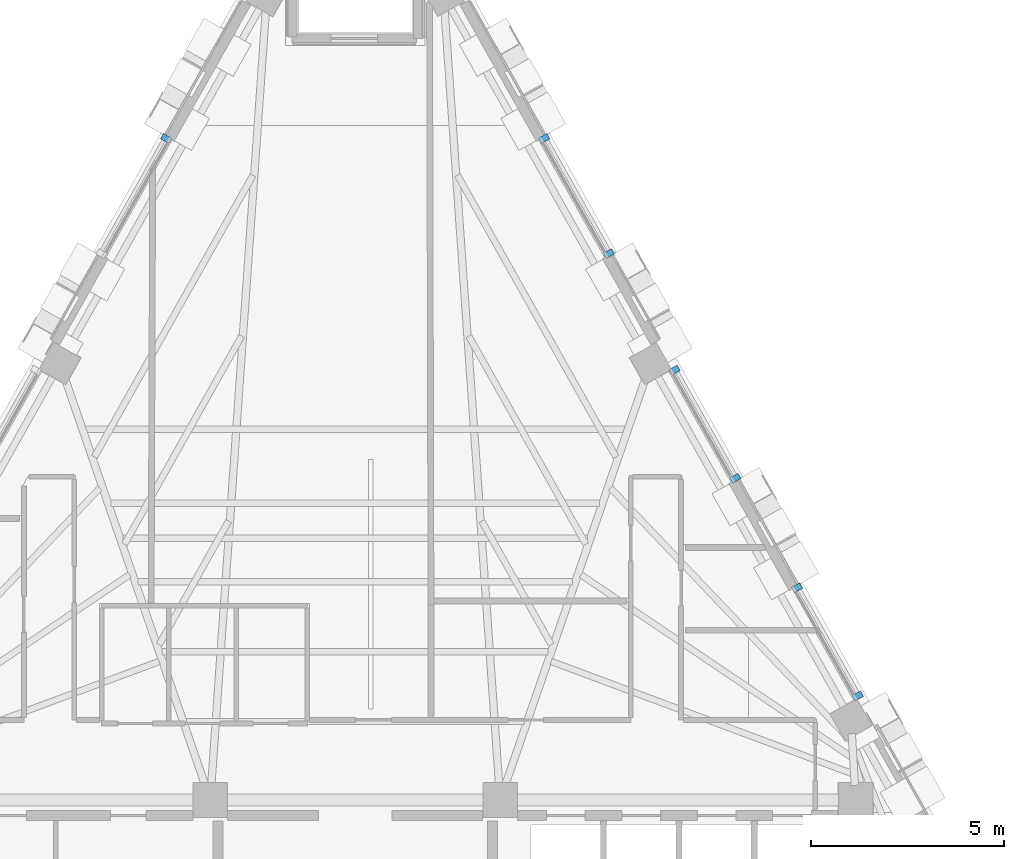
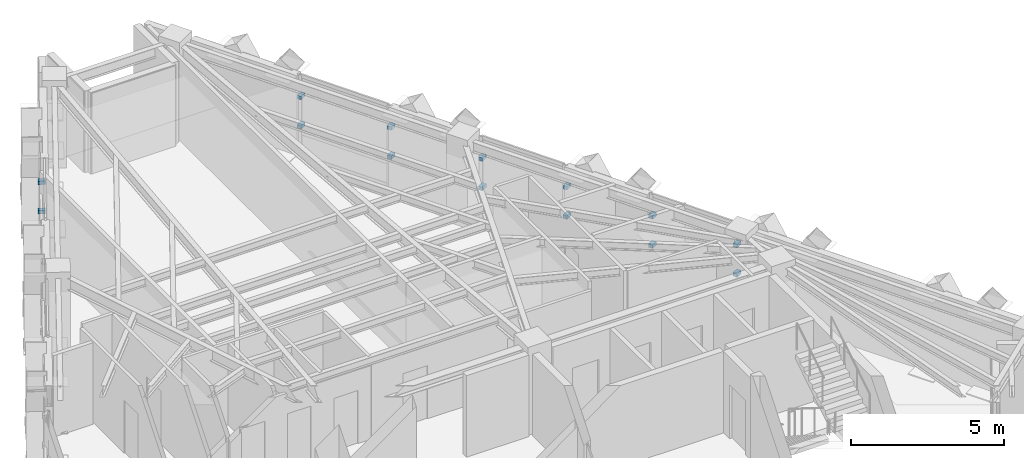
# One storey, part 9 of 11: 14 discrete accessories.
"""IFC4 building model written with IfcOpenShell, lengths in metres."""

from ifc_helpers import new_model, si_unit, direction, frame, origin, origin_2d, place, context, subcontext, project, spatial, rectangle, extrude, material, type_object, element, save


model = new_model("IFC4")

# Units and contexts
model_context = context("Model", 3, precision=1e-05, world=origin(), true_north=direction((0.0, 1.0)))
body_context = subcontext(model_context, "Body", "Model", "MODEL_VIEW")
ifc_project = project(units=[si_unit("LENGTHUNIT", "METRE"), si_unit("AREAUNIT", "SQUARE_METRE"), si_unit("VOLUMEUNIT", "CUBIC_METRE"), si_unit("PLANEANGLEUNIT", "RADIAN"), si_unit("MASSUNIT", "GRAM", prefix="KILO")], contexts=[model_context])

# Site, building, storey
site_placement = place(None, origin())
site = spatial("IfcSite", under=ifc_project, at=site_placement, CompositionType="ELEMENT")
building_placement = place(site_placement, origin())
building = spatial("IfcBuilding", under=site, at=building_placement, Name="Quenlor Broadcast Tower", CompositionType="ELEMENT")
storey_placement = place(building_placement, frame((0.0, 0.0, 263.89990234375)))
storey = spatial("IfcBuildingStorey", under=building, at=storey_placement, Name="L73", CompositionType="ELEMENT", Elevation=263.89990234375)

# Discrete accessories
ifc_material = material(Name="Aluminium 6063-T6", Category="aluminium")
discrete_accessory_type = type_object("IfcDiscreteAccessoryType", Name="Stainless Mullion Baguette Support Bracket", PredefinedType="BRACKET", material=ifc_material)
for number, where, z_axis, x_axis, name in (
    (1, (4.891845703125, 12.315673828125, 1.10009765625), (0.0, 0.0, 1.0), (0.490249776801, -0.871581984868, 0.0), "L73 Baguette Mullion Bracket 1.1"),
    (2, (6.56787109375, 9.33642578125, 1.10009765625), (0.0, 0.0, 1.0), (0.490249776801, -0.871581984868, 0.0), "L73 Baguette Mullion Bracket 1.2"),
    (3, (4.891845703125, 12.315673828125, 2.27001953125), (0.0, 0.0, 1.0), (0.490249776801, -0.871581984868, 0.0), "L73 Baguette Mullion Bracket 2.1"),
    (4, (6.56787109375, 9.33642578125, 2.27001953125), (0.0, 0.0, 1.0), (0.490249776801, -0.871581984868, 0.0), "L73 Baguette Mullion Bracket 2.2"),
    (5, (8.26416015625, 6.3203125, 1.10009765625), (0.0, 0.0, 1.0), (0.490261946333, -0.871575139605, 0.0), "L73 Baguette Mullion Bracket 1.1"),
    (6, (9.83740234375, 3.523681640625, 1.10009765625), (0.0, 0.0, 1.0), (0.490261946333, -0.871575139605, 0.0), "L73 Baguette Mullion Bracket 1.2"),
    (7, (8.26416015625, 6.3203125, 2.27001953125), (0.0, 0.0, 1.0), (0.490261946333, -0.871575139605, 0.0), "L73 Baguette Mullion Bracket 2.1"),
    (8, (9.83740234375, 3.523681640625, 2.27001953125), (0.0, 0.0, 1.0), (0.490261946333, -0.871575139605, 0.0), "L73 Baguette Mullion Bracket 2.2"),
    (9, (11.431396484375, 0.690185546875, 1.10009765625), (0.0, 0.0, 1.0), (0.490261946333, -0.871575139605, 0.0), "L73 Baguette Mullion Bracket 1.1"),
    (10, (13.004638671875, -2.106689453125, 1.10009765625), (0.0, 0.0, 1.0), (0.490261946333, -0.871575139605, 0.0), "L73 Baguette Mullion Bracket 1.2"),
    (11, (11.431396484375, 0.690185546875, 2.27001953125), (0.0, 0.0, 1.0), (0.490261946333, -0.871575139605, 0.0), "L73 Baguette Mullion Bracket 2.1"),
    (12, (13.004638671875, -2.106689453125, 2.27001953125), (0.0, 0.0, 1.0), (0.490261946333, -0.871575139605, 0.0), "L73 Baguette Mullion Bracket 2.2"),
    (13, (-4.891845703125, 12.315673828125, 1.10009765625), (0.0, 0.0, 1.0), (0.490249776801, 0.871581984868, 0.0), "L73 Baguette Mullion Bracket 1.2"),
    (14, (-4.891845703125, 12.315673828125, 2.27001953125), (0.0, 0.0, 1.0), (0.490249776801, 0.871581984868, 0.0), "L73 Baguette Mullion Bracket 2.2"),
):
    element("IfcDiscreteAccessory", number, at=place(storey_placement, frame(where, z_axis=z_axis, x_axis=x_axis)), inside=storey, type_object=discrete_accessory_type, Name=name, PredefinedType="BRACKET", context=body_context, shape_type="SweptSolid", body=[
        extrude(rectangle(XDim=0.159912109375, YDim=0.239990234375, at=origin_2d()), origin(), (0.0, 0.0, 1.0), 0.139892578125),
    ])

save(model, "model.ifc")
